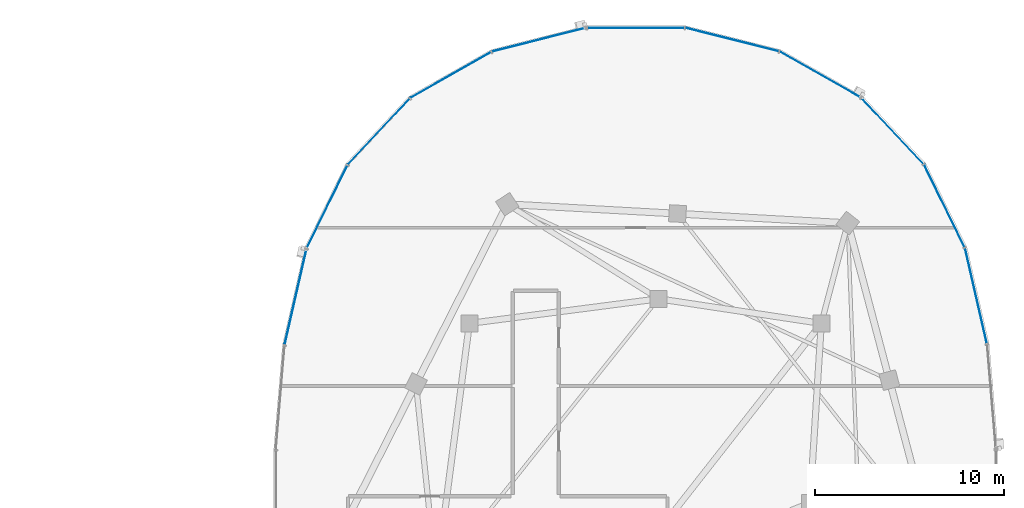
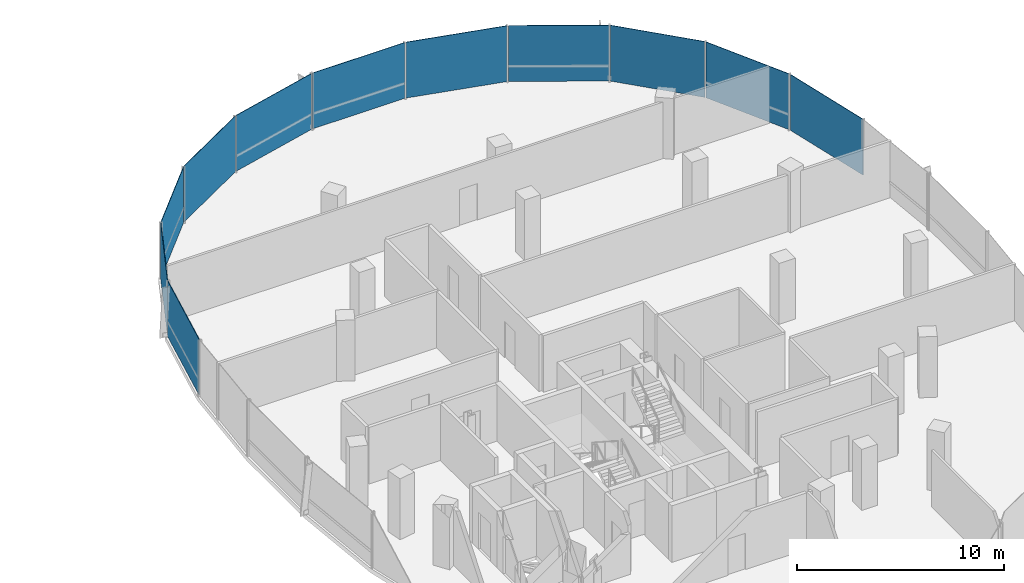
# One storey, part 14 of 25: 11 plates, 2 elements without a shape of their own.
"""IFC4 building model written with IfcOpenShell, lengths in metres."""

from ifc_helpers import new_model, si_unit, direction, frame, origin, origin_2d, place, context, subcontext, project, spatial, rectangle, extrude, material, layer, layer_set, type_object, element, aggregate, save


model = new_model("IFC4")

# Units and contexts
model_context = context("Model", 3, precision=1e-05, world=origin(), true_north=direction((0.0, 1.0)))
body_context = subcontext(model_context, "Body", "Model", "MODEL_VIEW")
ifc_project = project(units=[si_unit("LENGTHUNIT", "METRE"), si_unit("AREAUNIT", "SQUARE_METRE"), si_unit("VOLUMEUNIT", "CUBIC_METRE"), si_unit("PLANEANGLEUNIT", "RADIAN"), si_unit("MASSUNIT", "GRAM", prefix="KILO"), si_unit("THERMODYNAMICTEMPERATUREUNIT", "KELVIN"), si_unit("POWERUNIT", "WATT")], contexts=[model_context])

# Site, building, storey
site_placement = place(None, origin())
site = spatial("IfcSite", under=ifc_project, at=site_placement, CompositionType="ELEMENT")
building_placement = place(site_placement, origin())
building = spatial("IfcBuilding", under=site, at=building_placement, Name="Cundina Bronze Exchange", CompositionType="ELEMENT")
storey_placement = place(building_placement, frame((0.0, 0.0, 224.199951171875)))
storey = spatial("IfcBuildingStorey", under=building, at=storey_placement, Name="L59", CompositionType="ELEMENT", Elevation=224.199951171875)

# Curtain wall, plates
ifc_material_1 = material(Name="Anodised Bronze Aluminium 6063-T6", Category="aluminium")
curtain_wall_type = type_object("IfcCurtainWallType", Name="CWS-UPP-OFF", PredefinedType="NOTDEFINED", material=ifc_material_1)
curtain_wall_1_placement = place(storey_placement, origin())
curtain_wall_1 = element("IfcCurtainWall", 1, at=curtain_wall_1_placement, inside=storey, type_object=curtain_wall_type, Name="L59 CW-05 Curtain Wall Run CWR-L59-E1", PredefinedType="NOTDEFINED")
ifc_material_2 = material(Name="Heat-Strengthened Solar-Control Bronze Safety Glass 28mm", Category="glass")
ifc_layer_1 = layer(ifc_material_2, 0.028076171875, Name="Heat-Strengthened Solar-Control Bronze Safety Glass 28mm", Category="glass")
ifc_layer_set_1 = layer_set([ifc_layer_1], Name="Heat-Strengthened Solar-Control Bronze Safety Glass 28mm")
plate_type_1 = type_object("IfcPlateType", Name="PLT-GLZ-VIS28", PredefinedType="CURTAIN_PANEL", material=ifc_layer_set_1)
plate_1_placement = place(storey_placement, frame((49.98388671875, 10.92578125, 0.02001953125), z_axis=(0.0, 0.0, 1.0), x_axis=(-0.223284141459, 0.974753400698, 0.0)))
plate_1 = element("IfcPlate", 2, at=plate_1_placement, type_object=plate_type_1, Name="CW-05 Glazed Panel 2", PredefinedType="CURTAIN_PANEL", context=body_context, shape_type="SweptSolid", body=[
    extrude(rectangle(XDim=5.167724609375, YDim=0.028076171875, at=origin_2d()), origin(), (0.0, 0.0, 1.0), 3.300048828125),
])
plate_2_placement = place(storey_placement, frame((48.314697265625, 15.686767578125, 0.02001953125), z_axis=(0.0, 0.0, 1.0), x_axis=(-0.440503330345, 0.897750976582, 0.0)))
plate_2 = element("IfcPlate", 3, at=plate_2_placement, type_object=plate_type_1, Name="CW-05 Glazed Panel 3", PredefinedType="CURTAIN_PANEL", context=body_context, shape_type="SweptSolid", body=[
    extrude(rectangle(XDim=4.863525390625, YDim=0.028076171875, at=origin_2d()), origin(), (0.0, 0.0, 1.0), 3.300048828125),
])
plate_3_placement = place(storey_placement, frame((45.5791015625, 19.6552734375, 0.02001953125), z_axis=(0.0, 0.0, 1.0), x_axis=(-0.684343512797, 0.72915976061, 0.0)))
plate_3 = element("IfcPlate", 4, at=plate_3_placement, type_object=plate_type_1, Name="CW-05 Glazed Panel 4", PredefinedType="CURTAIN_PANEL", context=body_context, shape_type="SweptSolid", body=[
    extrude(rectangle(XDim=4.773193359375, YDim=0.028076171875, at=origin_2d()), origin(), (0.0, 0.0, 1.0), 3.300048828125),
])
plate_4_placement = place(storey_placement, frame((41.769287109375, 22.64111328125, 0.02001953125), z_axis=(0.0, 0.0, 1.0), x_axis=(-0.869572506985, 0.493805280547, 0.0)))
plate_4 = element("IfcPlate", 5, at=plate_4_placement, type_object=plate_type_1, Name="CW-05 Glazed Panel 5", PredefinedType="CURTAIN_PANEL", context=body_context, shape_type="SweptSolid", body=[
    extrude(rectangle(XDim=4.907958984375, YDim=0.028076171875, at=origin_2d()), origin(), (0.0, 0.0, 1.0), 3.300048828125),
])
plate_5_placement = place(storey_placement, frame((32.0, 25.125, 0.02001953125), z_axis=(0.0, 0.0, 1.0), x_axis=(-1.0, 0.0, 0.0)))
plate_5 = element("IfcPlate", 6, at=plate_5_placement, type_object=plate_type_1, Name="CW-05 Glazed Panel 7", PredefinedType="CURTAIN_PANEL", context=body_context, shape_type="SweptSolid", body=[
    extrude(rectangle(XDim=5.16796875, YDim=0.028076171875, at=origin_2d()), origin(), (0.0, 0.0, 1.0), 3.300048828125),
])

curtain_wall_2_placement = place(storey_placement, origin())
curtain_wall_2 = element("IfcCurtainWall", 7, at=curtain_wall_2_placement, inside=storey, type_object=curtain_wall_type, Name="L59 CW-05 Curtain Wall Run CWR-L59-E2", PredefinedType="NOTDEFINED")
plate_6_placement = place(storey_placement, frame((26.88720703125, 24.49609375, 0.02001953125), z_axis=(0.0, 0.0, 1.0), x_axis=(-0.969731542251, -0.244173577528, 0.0)))
plate_6 = element("IfcPlate", 8, at=plate_6_placement, type_object=plate_type_1, Name="CW-05 Glazed Panel 1", PredefinedType="CURTAIN_PANEL", context=body_context, shape_type="SweptSolid", body=[
    extrude(rectangle(XDim=5.0908203125, YDim=0.028076171875, at=origin_2d()), origin(), (0.0, 0.0, 1.0), 3.300048828125),
])
plate_7_placement = place(storey_placement, frame((22.230712890625, 22.64111328125, 0.02001953125), z_axis=(0.0, 0.0, 1.0), x_axis=(-0.869572506985, -0.493805280547, 0.0)))
plate_7 = element("IfcPlate", 9, at=plate_7_placement, type_object=plate_type_1, Name="CW-05 Glazed Panel 2", PredefinedType="CURTAIN_PANEL", context=body_context, shape_type="SweptSolid", body=[
    extrude(rectangle(XDim=4.907958984375, YDim=0.028076171875, at=origin_2d()), origin(), (0.0, 0.0, 1.0), 3.300048828125),
])
plate_8_placement = place(storey_placement, frame((18.4208984375, 19.6552734375, 0.02001953125), z_axis=(0.0, 0.0, 1.0), x_axis=(-0.684343512797, -0.72915976061, 0.0)))
plate_8 = element("IfcPlate", 10, at=plate_8_placement, type_object=plate_type_1, Name="CW-05 Glazed Panel 3", PredefinedType="CURTAIN_PANEL", context=body_context, shape_type="SweptSolid", body=[
    extrude(rectangle(XDim=4.773193359375, YDim=0.028076171875, at=origin_2d()), origin(), (0.0, 0.0, 1.0), 3.300048828125),
])
plate_9_placement = place(storey_placement, frame((15.685302734375, 15.686767578125, 0.02001953125), z_axis=(0.0, 0.0, 1.0), x_axis=(-0.440503330345, -0.897750976582, 0.0)))
plate_9 = element("IfcPlate", 11, at=plate_9_placement, type_object=plate_type_1, Name="CW-05 Glazed Panel 4", PredefinedType="CURTAIN_PANEL", context=body_context, shape_type="SweptSolid", body=[
    extrude(rectangle(XDim=4.863525390625, YDim=0.028076171875, at=origin_2d()), origin(), (0.0, 0.0, 1.0), 3.300048828125),
])

# Plate
ifc_material_3 = material(Name="Dark Bronze Spandrel Glass Panel 32mm", Category="glass")
ifc_layer_2 = layer(ifc_material_3, 0.031982421875, Name="Dark Bronze Spandrel Glass Panel 32mm", Category="glass")
ifc_layer_set_2 = layer_set([ifc_layer_2], Name="Dark Bronze Spandrel Glass Panel 32mm")
plate_type_2 = type_object("IfcPlateType", Name="PLT-SPN-BRZ32", PredefinedType="CURTAIN_PANEL", material=ifc_layer_set_2)
plate_10_placement = place(storey_placement, frame((37.11279296875, 24.49609375, 0.02001953125), z_axis=(0.0, 0.0, 1.0), x_axis=(-0.969731542251, 0.244173577528, 0.0)))
plate_10 = element("IfcPlate", 12, at=plate_10_placement, type_object=plate_type_2, Name="CW-05 Glazed Panel 6", PredefinedType="CURTAIN_PANEL", context=body_context, shape_type="SweptSolid", body=[
    extrude(rectangle(XDim=5.0908203125, YDim=0.031982421875, at=origin_2d()), origin(), (0.0, 0.0, 1.0), 3.300048828125),
])

aggregate(curtain_wall_1, [plate_1, plate_2, plate_3, plate_4, plate_10, plate_5])

plate_11_placement = place(storey_placement, frame((14.01611328125, 10.92578125, 0.02001953125), z_axis=(0.0, 0.0, 1.0), x_axis=(-0.223284141459, -0.974753400698, 0.0)))
plate_11 = element("IfcPlate", 13, at=plate_11_placement, type_object=plate_type_2, Name="CW-05 Glazed Panel 5", PredefinedType="CURTAIN_PANEL", context=body_context, shape_type="SweptSolid", body=[
    extrude(rectangle(XDim=5.167724609375, YDim=0.031982421875, at=origin_2d()), origin(), (0.0, 0.0, 1.0), 3.300048828125),
])

aggregate(curtain_wall_2, [plate_6, plate_7, plate_8, plate_9, plate_11])

save(model, "model.ifc")
